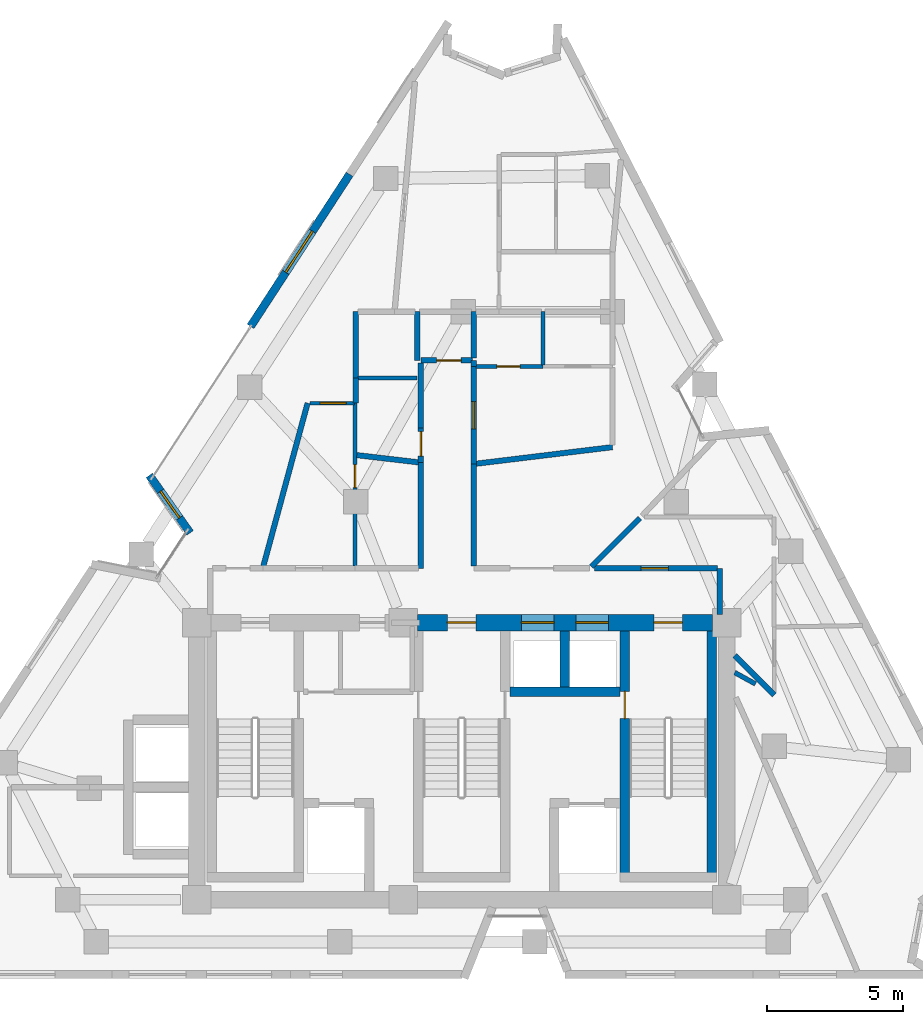
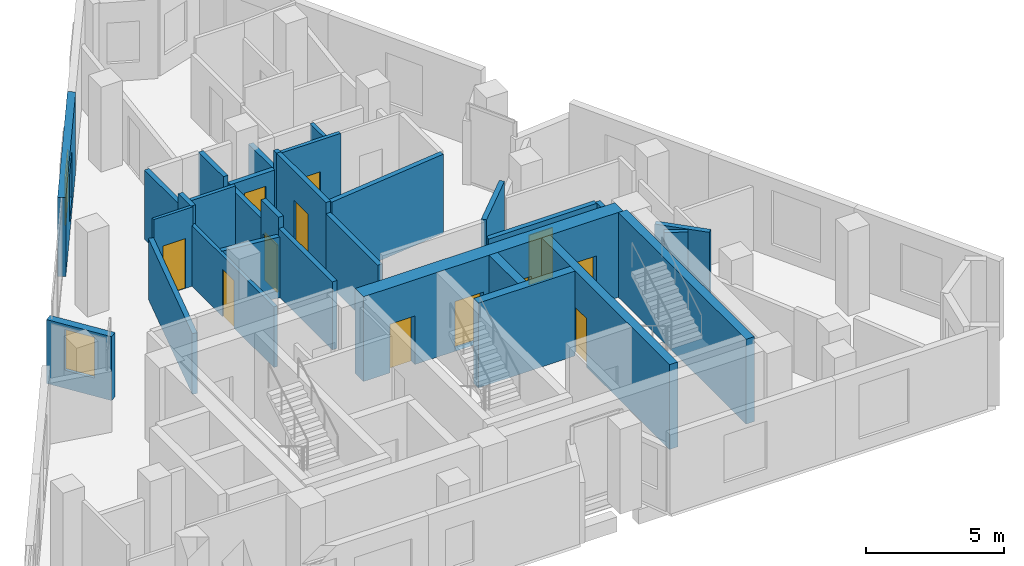
# One storey, part 6 of 9: 31 walls, 12 doors, 2 windows, 14 openings.
"""IFC4 building model written with IfcOpenShell, lengths in metres."""

from ifc_helpers import new_model, si_unit, direction, frame, frame_2d, origin, place, context, subcontext, project, spatial, rectangle, extrude, material, layer, layer_set, type_object, element, fill, save


model = new_model("IFC4")

# Units and contexts
model_context = context("Model", 3, precision=1e-05, world=origin(), true_north=direction((0.0, 1.0)))
body_context = subcontext(model_context, "Body", "Model", "MODEL_VIEW")
ifc_project = project(units=[si_unit("LENGTHUNIT", "METRE"), si_unit("AREAUNIT", "SQUARE_METRE"), si_unit("VOLUMEUNIT", "CUBIC_METRE"), si_unit("PLANEANGLEUNIT", "RADIAN"), si_unit("MASSUNIT", "GRAM", prefix="KILO")], contexts=[model_context])

# Site, building, storey
site_placement = place(None, origin())
site = spatial("IfcSite", under=ifc_project, at=site_placement, CompositionType="ELEMENT")
building_placement = place(site_placement, origin())
building = spatial("IfcBuilding", under=site, at=building_placement, Name="Almagre Mirador Tower", CompositionType="ELEMENT")
storey_placement = place(building_placement, frame((0.0, 0.0, 207.0)))
storey = spatial("IfcBuildingStorey", under=building, at=storey_placement, Name="L53", CompositionType="ELEMENT", Elevation=207.0)

# Wall, opening, window
ifc_material_1 = material(Name="Precast concrete C50/60", Category="concrete")
ifc_layer_1 = layer(ifc_material_1, 0.300048828125)
ifc_layer_set_1 = layer_set([ifc_layer_1], Name="Precast concrete C50/60")
wall_type_1 = type_object("IfcWallType", Name="WAL-EXT-300", PredefinedType="SOLIDWALL", material=ifc_layer_set_1)
wall_1_placement = place(storey_placement, frame((27.3017578125, 18.052490234375, 0.0), z_axis=(0.0, 0.0, 1.0), x_axis=(-0.576912262752, 0.816806122092, 0.0)))
wall_1 = element("IfcWall", 1, at=wall_1_placement, inside=storey, type_object=wall_type_1, Name="L53 expressed almagre precast frame wall 02", PredefinedType="SOLIDWALL", context=body_context, shape_type="SweptSolid", body=[
    extrude(rectangle(XDim=2.59423828125, YDim=0.300048828125, at=frame_2d((1.297119140625, 0.0))), origin(), (0.0, 0.0, 1.0), 2.824951171875),
])
opening_1_placement = place(wall_1_placement, frame((0.675048828125, 0.0, 0.800048828125)))
opening_1 = element("IfcOpeningElement", 2, at=opening_1_placement, cuts=wall_1, Name="Opening WN-04", PredefinedType="OPENING", context=body_context, shape_type="SweptSolid", body=[
    extrude(rectangle(XDim=1.199951171875, YDim=1.800048828125, at=frame_2d((0.60009765625, 0.89990234375))), frame((0.0, 0.159902, 0.0), z_axis=(0.0, -1.0, 0.0), x_axis=(1.0, 0.0, 0.0)), (0.0, 0.0, 1.0), 0.320049),
])
ifc_material_2 = material(Name="Dark solar-control laminated hurricane glass", Category="glass")
window_type_1 = type_object("IfcWindowType", Name="WIN-1200X1800", PartitioningType="SINGLE_PANEL", PredefinedType="WINDOW", material=ifc_material_2)
window_1_placement = place(opening_1_placement, origin())
window_1 = element("IfcWindow", 3, at=window_1_placement, inside=storey, type_object=window_type_1, Name="L53 recessed hurricane window L53-RST-F", OverallHeight=1.800048828125, OverallWidth=1.199951171875, PartitioningType="SINGLE_PANEL", PredefinedType="WINDOW", context=body_context, shape_type="SweptSolid", body=[
    extrude(rectangle(XDim=1.199951171875, YDim=1.800048828125, at=frame_2d((0.60009765625, 0.89990234375))), frame((0.0, 0.030029296875, 0.0), z_axis=(0.0, -1.0, 0.0), x_axis=(1.0, 0.0, 0.0)), (0.0, 0.0, 1.0), 0.06005859375),
])
fill(opening_1, window_1)

wall_2_placement = place(storey_placement, frame((29.530029296875, 25.654052734375, 0.0), z_axis=(0.0, 0.0, 1.0), x_axis=(0.545624217243, 0.838029959821, 0.0)))
wall_2 = element("IfcWall", 4, at=wall_2_placement, inside=storey, type_object=wall_type_1, Name="L53 expressed almagre precast frame wall 03", PredefinedType="SOLIDWALL", context=body_context, shape_type="SweptSolid", body=[
    extrude(rectangle(XDim=6.6787109375, YDim=0.300048828125, at=frame_2d((3.33935546875, 0.0))), origin(), (0.0, 0.0, 1.0), 3.5),
])
opening_2_placement = place(wall_2_placement, frame((2.375, 0.0, 0.60009765625)))
opening_2 = element("IfcOpeningElement", 5, at=opening_2_placement, cuts=wall_2, Name="Opening WN-01", PredefinedType="OPENING", context=body_context, shape_type="SweptSolid", body=[
    extrude(rectangle(XDim=1.800048828125, YDim=2.10009765625, at=frame_2d((0.89990234375, 1.050048828125))), frame((0.0, 0.159902, 0.0), z_axis=(0.0, -1.0, 0.0), x_axis=(1.0, 0.0, 0.0)), (0.0, 0.0, 1.0), 0.320049),
])
ifc_material_3 = material(Name="Dark solar-control laminated hurricane glass", Category="glass")
window_type_2 = type_object("IfcWindowType", Name="WIN-1800X2100", PartitioningType="DOUBLE_PANEL_VERTICAL", PredefinedType="WINDOW", material=ifc_material_3)
window_2_placement = place(opening_2_placement, origin())
window_2 = element("IfcWindow", 6, at=window_2_placement, inside=storey, type_object=window_type_2, Name="L53 recessed hurricane window L53-RST-F", OverallHeight=2.10009765625, OverallWidth=1.800048828125, PartitioningType="SINGLE_PANEL", PredefinedType="WINDOW", context=body_context, shape_type="SweptSolid", body=[
    extrude(rectangle(XDim=1.800048828125, YDim=2.10009765625, at=frame_2d((0.89990234375, 1.050048828125))), frame((0.0, 0.030029296875, 0.0), z_axis=(0.0, -1.0, 0.0), x_axis=(1.0, 0.0, 0.0)), (0.0, 0.0, 1.0), 0.06005859375),
])
fill(opening_2, window_2)

# Wall, opening, door
ifc_material_4 = material(Name="Gypsum acoustic stud partition", Category="other")
ifc_layer_2 = layer(ifc_material_4, 0.125)
ifc_layer_set_2 = layer_set([ifc_layer_2], Name="Gypsum acoustic stud partition")
wall_type_2 = type_object("IfcWallType", Name="WAL-PRT-125-UTL", PredefinedType="PARTITIONING", material=ifc_layer_set_2)
wall_3_placement = place(storey_placement, frame((33.360107421875, 22.830078125, 0.0), z_axis=(0.0, 0.0, 1.0), x_axis=(-1.0, 0.0, 0.0)))
wall_3 = element("IfcWall", 7, at=wall_3_placement, inside=storey, type_object=wall_type_2, Name="L53 interior partition 047", PredefinedType="PARTITIONING", context=body_context, shape_type="SweptSolid", body=[
    extrude(rectangle(XDim=1.64501953125, YDim=0.125, at=frame_2d((0.822509765625, 0.0))), origin(), (0.0, 0.0, 1.0), 3.5),
])
opening_3_placement = place(wall_3_placement, frame((0.31591796875, 0.0, 0.0)))
opening_3 = element("IfcOpeningElement", 8, at=opening_3_placement, cuts=wall_3, Name="Opening UD-01", PredefinedType="OPENING", context=body_context, shape_type="SweptSolid", body=[
    extrude(rectangle(XDim=0.949951171875, YDim=2.199951171875, at=frame_2d((0.47509765625, 1.10009765625))), frame((0.0, 0.0725, 0.0), z_axis=(0.0, -1.0, 0.0), x_axis=(1.0, 0.0, 0.0)), (0.0, 0.0, 1.0), 0.145),
])
ifc_material_5 = material(Name="Solid American walnut timber", Category="wood")
door_type_1 = type_object("IfcDoorType", Name="DOR-UNR-950X2200", OperationType="NOTDEFINED", PredefinedType="DOOR", material=ifc_material_5)
door_1_placement = place(opening_3_placement, origin())
door_1 = element("IfcDoor", 9, at=door_1_placement, inside=storey, type_object=door_type_1, Name="DR-1652 L53 interior door L53-UG-ST to L53-UG-KT", OperationType="SINGLE_SWING_LEFT", OverallHeight=2.199951171875, OverallWidth=0.949951171875, PredefinedType="DOOR", context=body_context, shape_type="SweptSolid", body=[
    extrude(rectangle(XDim=0.949951171875, YDim=2.199951171875, at=frame_2d((0.47509765625, 1.10009765625))), frame((0.0, 0.02490234375, 0.0), z_axis=(0.0, -1.0, 0.0), x_axis=(1.0, 0.0, 0.0)), (0.0, 0.0, 1.0), 0.050048828125),
])
fill(opening_3, door_1)

ifc_material_6 = material(Name="Gypsum acoustic stud partition", Category="other")
ifc_layer_3 = layer(ifc_material_6, 0.14990234375)
ifc_layer_set_3 = layer_set([ifc_layer_3], Name="Gypsum acoustic stud partition")
wall_type_3 = type_object("IfcWallType", Name="WAL-PRT-150-STD", PredefinedType="PARTITIONING", material=ifc_layer_set_3)
wall_4_placement = place(storey_placement, frame((33.3798828125, 22.830078125, 0.0), z_axis=(0.0, 0.0, 1.0), x_axis=(0.0, -1.0, 0.0)))
wall_4 = element("IfcWall", 10, at=wall_4_placement, inside=storey, type_object=wall_type_3, Name="L53 interior partition 046", PredefinedType="PARTITIONING", context=body_context, shape_type="SweptSolid", body=[
    extrude(rectangle(XDim=5.9951171875, YDim=0.14990234375, at=frame_2d((2.99755859375, 0.0))), origin(), (0.0, 0.0, 1.0), 2.68505859375),
])
opening_4_placement = place(wall_4_placement, frame((2.261474609375, 0.0, 0.0)))
opening_4 = element("IfcOpeningElement", 11, at=opening_4_placement, cuts=wall_4, Name="Opening UD-04", PredefinedType="OPENING", context=body_context, shape_type="SweptSolid", body=[
    extrude(rectangle(XDim=0.85009765625, YDim=2.10009765625, at=frame_2d((0.425048828125, 1.050048828125))), frame((0.0, 0.084951, 0.0), z_axis=(0.0, -1.0, 0.0), x_axis=(1.0, 0.0, 0.0)), (0.0, 0.0, 1.0), 0.169902),
])
ifc_material_7 = material(Name="Moisture-resistant oak timber", Category="wood")
door_type_2 = type_object("IfcDoorType", Name="DOR-UNR-850X2100", OperationType="NOTDEFINED", PredefinedType="DOOR", material=ifc_material_7)
door_2_placement = place(opening_4_placement, origin())
door_2 = element("IfcDoor", 12, at=door_2_placement, inside=storey, type_object=door_type_2, Name="DR-1653 L53 interior door L53-UG-ST to L53-UG-BT", OperationType="SINGLE_SWING_RIGHT", OverallHeight=2.10009765625, OverallWidth=0.85009765625, PredefinedType="DOOR", context=body_context, shape_type="SweptSolid", body=[
    extrude(rectangle(XDim=0.85009765625, YDim=2.10009765625, at=frame_2d((0.425048828125, 1.050048828125))), frame((0.0, 0.02490234375, 0.0), z_axis=(0.0, -1.0, 0.0), x_axis=(1.0, 0.0, 0.0)), (0.0, 0.0, 1.0), 0.050048828125),
])
fill(opening_4, door_2)

# Wall
wall_5_placement = place(storey_placement, frame((35.659912109375, 23.75, 0.0), z_axis=(0.0, 0.0, 1.0), x_axis=(-1.0, 0.0, 0.0)))
element("IfcWall", 13, at=wall_5_placement, inside=storey, type_object=wall_type_3, Name="L53 interior partition 057", PredefinedType="PARTITIONING", context=body_context, shape_type="SweptSolid", body=[
    extrude(rectangle(XDim=2.1748046875, YDim=0.14990234375, at=frame_2d((1.08740234375, 0.0))), origin(), (0.0, 0.0, 1.0), 3.06103515625),
])

# Wall, opening, door
wall_6_placement = place(storey_placement, frame((40.300048828125, 24.179931640625, 0.0), z_axis=(0.0, 0.0, 1.0), x_axis=(-1.0, 0.0, 0.0)))
wall_6 = element("IfcWall", 14, at=wall_6_placement, inside=storey, type_object=wall_type_3, Name="L53 interior partition 060", PredefinedType="PARTITIONING", context=body_context, shape_type="SweptSolid", body=[
    extrude(rectangle(XDim=2.465087890625, YDim=0.14990234375, at=frame_2d((1.232421875, 0.0))), origin(), (0.0, 0.0, 1.0), 3.5),
])
opening_5_placement = place(wall_6_placement, frame((0.85009765625, 0.0, 0.0)))
opening_5 = element("IfcOpeningElement", 15, at=opening_5_placement, cuts=wall_6, Name="Opening UD-04", PredefinedType="OPENING", context=body_context, shape_type="SweptSolid", body=[
    extrude(rectangle(XDim=0.85009765625, YDim=2.10009765625, at=frame_2d((0.425048828125, 1.050048828125))), frame((0.0, 0.084951, 0.0), z_axis=(0.0, -1.0, 0.0), x_axis=(1.0, 0.0, 0.0)), (0.0, 0.0, 1.0), 0.169902),
])
door_3_placement = place(opening_5_placement, origin())
door_3 = element("IfcDoor", 16, at=door_3_placement, inside=storey, type_object=door_type_2, Name="DR-1657 L53 interior door L53-UJ-ST to L53-UJ-BT", OperationType="SINGLE_SWING_RIGHT", OverallHeight=2.10009765625, OverallWidth=0.85009765625, PredefinedType="DOOR", context=body_context, shape_type="SweptSolid", body=[
    extrude(rectangle(XDim=0.85009765625, YDim=2.10009765625, at=frame_2d((0.425048828125, 1.050048828125))), frame((0.0, 0.02490234375, 0.0), z_axis=(0.0, -1.0, 0.0), x_axis=(1.0, 0.0, 0.0)), (0.0, 0.0, 1.0), 0.050048828125),
])
fill(opening_5, door_3)

# Walls
wall_7_placement = place(storey_placement, frame((40.300048828125, 26.199951171875, 0.0), z_axis=(0.0, 0.0, 1.0), x_axis=(0.0, -1.0, 0.0)))
element("IfcWall", 17, at=wall_7_placement, inside=storey, type_object=wall_type_3, Name="L53 interior partition 063", PredefinedType="PARTITIONING", context=body_context, shape_type="SweptSolid", body=[
    extrude(rectangle(XDim=1.972412109375, YDim=0.14990234375, at=frame_2d((0.986328125, 0.0))), origin(), (0.0, 0.0, 1.0), 2.68505859375),
])
ifc_material_8 = material(Name="Gypsum acoustic stud partition", Category="other")
ifc_layer_4 = layer(ifc_material_8, 0.175048828125)
ifc_layer_set_4 = layer_set([ifc_layer_4], Name="Gypsum acoustic stud partition")
wall_type_4 = type_object("IfcWallType", Name="WAL-PRT-175-AC", PredefinedType="PARTITIONING", material=ifc_layer_set_4)
wall_8_placement = place(storey_placement, frame((47.35009765625, 12.9140625, 0.0), z_axis=(0.0, 0.0, 1.0), x_axis=(0.876281108122, -0.481800186331, 0.0)))
element("IfcWall", 18, at=wall_8_placement, inside=storey, type_object=wall_type_4, Name="L53 interior partition 078", PredefinedType="PARTITIONING", context=body_context, shape_type="SweptSolid", body=[
    extrude(rectangle(XDim=0.86962890625, YDim=0.175048828125, at=frame_2d((0.434814453125, 0.0))), origin(), (0.0, 0.0, 1.0), 3.5),
])
ifc_material_9 = material(Name="Gypsum acoustic stud partition", Category="other")
ifc_layer_5 = layer(ifc_material_9, 0.199951171875)
ifc_layer_set_5 = layer_set([ifc_layer_5], Name="Gypsum acoustic stud partition")
wall_type_5 = type_object("IfcWallType", Name="WAL-PRT-200-EI60", PredefinedType="PARTITIONING", material=ifc_layer_set_5)
wall_9_placement = place(storey_placement, frame((46.800048828125, 15.050048828125, 0.0), z_axis=(0.0, 0.0, 1.0), x_axis=(0.0, 1.0, 0.0)))
element("IfcWall", 19, at=wall_9_placement, inside=storey, type_object=wall_type_5, Name="L53 interior partition 002", PredefinedType="PARTITIONING", context=body_context, shape_type="SweptSolid", body=[
    extrude(rectangle(XDim=1.699951171875, YDim=0.199951171875, at=frame_2d((0.85009765625, 0.0))), origin(), (0.0, 0.0, 1.0), 2.68505859375),
])

# Wall, opening, door
wall_10_placement = place(storey_placement, frame((46.715087890625, 16.75, 0.0), z_axis=(0.0, 0.0, 1.0), x_axis=(-1.0, 0.0, 0.0)))
wall_10 = element("IfcWall", 20, at=wall_10_placement, inside=storey, type_object=wall_type_5, Name="L53 interior partition 003", PredefinedType="PARTITIONING", context=body_context, shape_type="SweptSolid", body=[
    extrude(rectangle(XDim=4.53515625, YDim=0.199951171875, at=frame_2d((2.267578125, 0.0))), origin(), (0.0, 0.0, 1.0), 2.68505859375),
])
opening_6_placement = place(wall_10_placement, frame((1.81005859375, 0.0, 0.0)))
opening_6 = element("IfcOpeningElement", 21, at=opening_6_placement, cuts=wall_10, Name="Opening ID-01", PredefinedType="OPENING", context=body_context, shape_type="SweptSolid", body=[
    extrude(rectangle(XDim=1.0, YDim=2.199951171875, at=frame_2d((0.5, 1.10009765625))), frame((0.0, 0.110098, 0.0), z_axis=(0.0, -1.0, 0.0), x_axis=(1.0, 0.0, 0.0)), (0.0, 0.0, 1.0), 0.219951),
])
ifc_material_10 = material(Name="Fire-rated walnut timber", Category="wood")
door_type_3 = type_object("IfcDoorType", Name="DOR-FD60-1000X2200", OperationType="NOTDEFINED", PredefinedType="DOOR", material=ifc_material_10)
door_4_placement = place(opening_6_placement, origin())
door_4 = element("IfcDoor", 22, at=door_4_placement, inside=storey, type_object=door_type_3, Name="DR-1649 L53 interior door L53-RCOR to L53-UE-ST", OperationType="SINGLE_SWING_LEFT", OverallHeight=2.199951171875, OverallWidth=1.0, PredefinedType="DOOR", context=body_context, shape_type="SweptSolid", body=[
    extrude(rectangle(XDim=1.0, YDim=2.199951171875, at=frame_2d((0.5, 1.10009765625))), frame((0.0, 0.02490234375, 0.0), z_axis=(0.0, -1.0, 0.0), x_axis=(1.0, 0.0, 0.0)), (0.0, 0.0, 1.0), 0.050048828125),
])
fill(opening_6, door_4)

# Wall
wall_11_placement = place(storey_placement, frame((35.800048828125, 20.639892578125, 0.0), z_axis=(0.0, 0.0, 1.0), x_axis=(0.0, -1.0, 0.0)))
element("IfcWall", 23, at=wall_11_placement, inside=storey, type_object=wall_type_5, Name="L53 interior partition 006", PredefinedType="PARTITIONING", context=body_context, shape_type="SweptSolid", body=[
    extrude(rectangle(XDim=3.889892578125, YDim=0.199951171875, at=frame_2d((1.94482421875, 0.0))), origin(), (0.0, 0.0, 1.0), 3.0029296875),
])

# Wall, opening, door
wall_12_placement = place(storey_placement, frame((37.705078125, 24.39990234375, 0.0), z_axis=(0.0, 0.0, 1.0), x_axis=(-1.0, 0.0, 0.0)))
wall_12 = element("IfcWall", 24, at=wall_12_placement, inside=storey, type_object=wall_type_5, Name="L53 interior partition 008", PredefinedType="PARTITIONING", context=body_context, shape_type="SweptSolid", body=[
    extrude(rectangle(XDim=1.905029296875, YDim=0.199951171875, at=frame_2d((0.95263671875, 0.0))), origin(), (0.0, 0.0, 1.0), 2.68505859375),
])
opening_7_placement = place(wall_12_placement, frame((0.425048828125, 0.0, 0.0)))
opening_7 = element("IfcOpeningElement", 25, at=opening_7_placement, cuts=wall_12, Name="Opening ID-03", PredefinedType="OPENING", context=body_context, shape_type="SweptSolid", body=[
    extrude(rectangle(XDim=0.89990234375, YDim=2.10009765625, at=frame_2d((0.449951171875, 1.050048828125))), frame((0.0, 0.110098, 0.0), z_axis=(0.0, -1.0, 0.0), x_axis=(1.0, 0.0, 0.0)), (0.0, 0.0, 1.0), 0.219951),
])
ifc_material_11 = material(Name="Fire-rated hollow steel", Category="steel")
door_type_4 = type_object("IfcDoorType", Name="DOR-FD60-900X2100", OperationType="NOTDEFINED", PredefinedType="DOOR", material=ifc_material_11)
door_5_placement = place(opening_7_placement, origin())
door_5 = element("IfcDoor", 26, at=door_5_placement, inside=storey, type_object=door_type_4, Name="DR-1648 L53 interior door L53-RCOR to L53-UH-ST", OperationType="SINGLE_SWING_RIGHT", OverallHeight=2.10009765625, OverallWidth=0.89990234375, PredefinedType="DOOR", context=body_context, shape_type="SweptSolid", body=[
    extrude(rectangle(XDim=0.89990234375, YDim=2.10009765625, at=frame_2d((0.449951171875, 1.050048828125))), frame((0.0, 0.02490234375, 0.0), z_axis=(0.0, -1.0, 0.0), x_axis=(1.0, 0.0, 0.0)), (0.0, 0.0, 1.0), 0.050048828125),
])
fill(opening_7, door_5)

# Wall
wall_13_placement = place(storey_placement, frame((35.800048828125, 24.31494140625, 0.0), z_axis=(0.0, 0.0, 1.0), x_axis=(0.0, -1.0, 0.0)))
element("IfcWall", 27, at=wall_13_placement, inside=storey, type_object=wall_type_5, Name="L53 interior partition 009", PredefinedType="PARTITIONING", context=body_context, shape_type="SweptSolid", body=[
    extrude(rectangle(XDim=2.39501953125, YDim=0.199951171875, at=frame_2d((1.197509765625, 0.0))), origin(), (0.0, 0.0, 1.0), 2.68505859375),
])

# Wall, opening, door
wall_14_placement = place(storey_placement, frame((35.800048828125, 21.919921875, 0.0), z_axis=(0.0, 0.0, 1.0), x_axis=(0.0, -1.0, 0.0)))
wall_14 = element("IfcWall", 28, at=wall_14_placement, inside=storey, type_object=wall_type_5, Name="L53 interior partition 010", PredefinedType="PARTITIONING", context=body_context, shape_type="SweptSolid", body=[
    extrude(rectangle(XDim=1.280029296875, YDim=0.199951171875, at=frame_2d((0.64013671875, 0.0))), origin(), (0.0, 0.0, 1.0), 3.5),
])
opening_8_placement = place(wall_14_placement, frame((0.139892578125, 0.0, 0.0)))
opening_8 = element("IfcOpeningElement", 29, at=opening_8_placement, cuts=wall_14, Name="Opening ID-03", PredefinedType="OPENING", context=body_context, shape_type="SweptSolid", body=[
    extrude(rectangle(XDim=0.89990234375, YDim=2.10009765625, at=frame_2d((0.449951171875, 1.050048828125))), frame((0.0, 0.110098, 0.0), z_axis=(0.0, -1.0, 0.0), x_axis=(1.0, 0.0, 0.0)), (0.0, 0.0, 1.0), 0.219951),
])
door_6_placement = place(opening_8_placement, origin())
door_6 = element("IfcDoor", 30, at=door_6_placement, inside=storey, type_object=door_type_4, Name="DR-1654 L53 interior door L53-RCOR to L53-UH-KT", OperationType="SINGLE_SWING_RIGHT", OverallHeight=2.10009765625, OverallWidth=0.89990234375, PredefinedType="DOOR", context=body_context, shape_type="SweptSolid", body=[
    extrude(rectangle(XDim=0.89990234375, YDim=2.10009765625, at=frame_2d((0.449951171875, 1.050048828125))), frame((0.0, 0.02490234375, 0.0), z_axis=(0.0, -1.0, 0.0), x_axis=(1.0, 0.0, 0.0)), (0.0, 0.0, 1.0), 0.050048828125),
])
fill(opening_8, door_6)

wall_15_placement = place(storey_placement, frame((37.75, 20.590087890625, 0.0), z_axis=(0.0, 0.0, 1.0), x_axis=(0.0, 1.0, 0.0)))
wall_15 = element("IfcWall", 31, at=wall_15_placement, inside=storey, type_object=wall_type_5, Name="L53 interior partition 011", PredefinedType="PARTITIONING", context=body_context, shape_type="SweptSolid", body=[
    extrude(rectangle(XDim=3.58984375, YDim=0.199951171875, at=frame_2d((1.794921875, 0.0))), origin(), (0.0, 0.0, 1.0), 3.5),
])
opening_9_placement = place(wall_15_placement, frame((1.294921875, 0.0, 0.0)))
opening_9 = element("IfcOpeningElement", 32, at=opening_9_placement, cuts=wall_15, Name="Opening ID-01", PredefinedType="OPENING", context=body_context, shape_type="SweptSolid", body=[
    extrude(rectangle(XDim=1.0, YDim=2.199951171875, at=frame_2d((0.5, 1.10009765625))), frame((0.0, 0.110098, 0.0), z_axis=(0.0, -1.0, 0.0), x_axis=(1.0, 0.0, 0.0)), (0.0, 0.0, 1.0), 0.219951),
])
door_7_placement = place(opening_9_placement, origin())
door_7 = element("IfcDoor", 33, at=door_7_placement, inside=storey, type_object=door_type_3, Name="DR-1655 L53 interior door L53-RCOR to L53-UJ-ST", OperationType="SINGLE_SWING_RIGHT", OverallHeight=2.199951171875, OverallWidth=1.0, PredefinedType="DOOR", context=body_context, shape_type="SweptSolid", body=[
    extrude(rectangle(XDim=1.0, YDim=2.199951171875, at=frame_2d((0.5, 1.10009765625))), frame((0.0, 0.02490234375, 0.0), z_axis=(0.0, -1.0, 0.0), x_axis=(1.0, 0.0, 0.0)), (0.0, 0.0, 1.0), 0.050048828125),
])
fill(opening_9, door_7)

# Walls
wall_16_placement = place(storey_placement, frame((37.75, 24.179931640625, 0.0), z_axis=(0.0, 0.0, 1.0), x_axis=(0.0, 1.0, 0.0)))
element("IfcWall", 34, at=wall_16_placement, inside=storey, type_object=wall_type_5, Name="L53 interior partition 012", PredefinedType="PARTITIONING", context=body_context, shape_type="SweptSolid", body=[
    extrude(rectangle(XDim=0.219970703125, YDim=0.199951171875, at=frame_2d((0.10986328125, 0.0))), origin(), (0.0, 0.0, 1.0), 3.5),
])
wall_17_placement = place(storey_placement, frame((37.75, 16.8349609375, 0.0), z_axis=(0.0, 0.0, 1.0), x_axis=(0.0, 1.0, 0.0)))
element("IfcWall", 35, at=wall_17_placement, inside=storey, type_object=wall_type_5, Name="L53 interior partition 014", PredefinedType="PARTITIONING", context=body_context, shape_type="SweptSolid", body=[
    extrude(rectangle(XDim=3.755126953125, YDim=0.199951171875, at=frame_2d((1.87744140625, 0.0))), origin(), (0.0, 0.0, 1.0), 3.0029296875),
])
wall_18_placement = place(storey_placement, frame((48.800048828125, 12.090087890625, 0.0), z_axis=(0.0, 0.0, 1.0), x_axis=(-0.707106781187, 0.707106781187, 0.0)))
element("IfcWall", 36, at=wall_18_placement, inside=storey, type_object=wall_type_5, Name="L53 interior partition 029", PredefinedType="PARTITIONING", context=body_context, shape_type="SweptSolid", body=[
    extrude(rectangle(XDim=2.050537109375, YDim=0.199951171875, at=frame_2d((1.025390625, 0.0))), origin(), (0.0, 0.0, 1.0), 3.5),
])
wall_19_placement = place(storey_placement, frame((43.857666015625, 18.59765625, 0.0), z_axis=(0.0, 0.0, 1.0), x_axis=(-0.707106781187, -0.707106781187, 0.0)))
element("IfcWall", 37, at=wall_19_placement, inside=storey, type_object=wall_type_5, Name="L53 interior partition 040", PredefinedType="PARTITIONING", context=body_context, shape_type="SweptSolid", body=[
    extrude(rectangle(XDim=2.528076171875, YDim=0.199951171875, at=frame_2d((1.26416015625, 0.0))), origin(), (0.0, 0.0, 1.0), 3.5),
])
wall_20_placement = place(storey_placement, frame((30.002197265625, 16.83203125, 0.0), z_axis=(0.0, 0.0, 1.0), x_axis=(0.261897318596, 0.965095743702, 0.0)))
element("IfcWall", 38, at=wall_20_placement, inside=storey, type_object=wall_type_5, Name="L53 interior partition 043", PredefinedType="PARTITIONING", context=body_context, shape_type="SweptSolid", body=[
    extrude(rectangle(XDim=6.215087890625, YDim=0.199951171875, at=frame_2d((3.107421875, 0.0))), origin(), (0.0, 0.0, 1.0), 2.68505859375),
])
wall_21_placement = place(storey_placement, frame((35.715576171875, 20.64990234375, 0.0), z_axis=(0.0, 0.0, 1.0), x_axis=(-0.993270086926, 0.11582113114, 0.0)))
element("IfcWall", 39, at=wall_21_placement, inside=storey, type_object=wall_type_5, Name="L53 interior partition 048", PredefinedType="PARTITIONING", context=body_context, shape_type="SweptSolid", body=[
    extrude(rectangle(XDim=2.291259765625, YDim=0.199951171875, at=frame_2d((1.1455078125, 0.0))), origin(), (0.0, 0.0, 1.0), 2.68505859375),
])
wall_22_placement = place(storey_placement, frame((33.39990234375, 22.830078125, 0.0), z_axis=(0.0, 0.0, 1.0), x_axis=(0.0, 1.0, 0.0)))
element("IfcWall", 40, at=wall_22_placement, inside=storey, type_object=wall_type_5, Name="L53 interior partition 049", PredefinedType="PARTITIONING", context=body_context, shape_type="SweptSolid", body=[
    extrude(rectangle(XDim=0.919921875, YDim=0.199951171875, at=frame_2d((0.4599609375, 0.0))), origin(), (0.0, 0.0, 1.0), 3.5),
])
wall_23_placement = place(storey_placement, frame((33.39990234375, 23.75, 0.0), z_axis=(0.0, 0.0, 1.0), x_axis=(0.0, 1.0, 0.0)))
element("IfcWall", 41, at=wall_23_placement, inside=storey, type_object=wall_type_5, Name="L53 interior partition 050", PredefinedType="PARTITIONING", context=body_context, shape_type="SweptSolid", body=[
    extrude(rectangle(XDim=2.449951171875, YDim=0.199951171875, at=frame_2d((1.22509765625, 0.0))), origin(), (0.0, 0.0, 1.0), 3.06103515625),
])
wall_24_placement = place(storey_placement, frame((35.659912109375, 26.199951171875, 0.0), z_axis=(0.0, 0.0, 1.0), x_axis=(0.0, -1.0, 0.0)))
element("IfcWall", 42, at=wall_24_placement, inside=storey, type_object=wall_type_5, Name="L53 interior partition 054", PredefinedType="PARTITIONING", context=body_context, shape_type="SweptSolid", body=[
    extrude(rectangle(XDim=1.800048828125, YDim=0.199951171875, at=frame_2d((0.89990234375, 0.0))), origin(), (0.0, 0.0, 1.0), 3.06103515625),
])
wall_25_placement = place(storey_placement, frame((37.75, 24.485107421875, 0.0), z_axis=(0.0, 0.0, 1.0), x_axis=(0.0, 1.0, 0.0)))
element("IfcWall", 43, at=wall_25_placement, inside=storey, type_object=wall_type_5, Name="L53 interior partition 055", PredefinedType="PARTITIONING", context=body_context, shape_type="SweptSolid", body=[
    extrude(rectangle(XDim=1.71484375, YDim=0.199951171875, at=frame_2d((0.857421875, 0.0))), origin(), (0.0, 0.0, 1.0), 2.68505859375),
])
wall_26_placement = place(storey_placement, frame((37.83447265625, 20.600341796875, 0.0), z_axis=(0.0, 0.0, 1.0), x_axis=(0.992694372952, 0.120656047959, 0.0)))
element("IfcWall", 44, at=wall_26_placement, inside=storey, type_object=wall_type_5, Name="L53 interior partition 061", PredefinedType="PARTITIONING", context=body_context, shape_type="SweptSolid", body=[
    extrude(rectangle(XDim=5.052490234375, YDim=0.199951171875, at=frame_2d((2.5263671875, 0.0))), origin(), (0.0, 0.0, 1.0), 3.5),
])

# Wall, opening, door
ifc_material_12 = material(Name="Concrete C60/75", Category="concrete")
ifc_layer_6 = layer(ifc_material_12, 0.35009765625)
ifc_layer_set_6 = layer_set([ifc_layer_6], Name="Concrete C60/75")
wall_type_6 = type_object("IfcWallType", Name="WAL-SHF-350", PredefinedType="SOLIDWALL", material=ifc_layer_set_6)
wall_27_placement = place(storey_placement, frame((43.300048828125, 5.199951171875, 0.0), z_axis=(0.0, 0.0, 1.0), x_axis=(0.0, 1.0, 0.0)))
wall_27 = element("IfcWall", 45, at=wall_27_placement, inside=storey, type_object=wall_type_6, Name="L53 shaft wall ST3-W", PredefinedType="SOLIDWALL", context=body_context, shape_type="SweptSolid", body=[
    extrude(rectangle(XDim=9.25, YDim=0.35009765625, at=frame_2d((4.625, 0.0))), origin(), (0.0, 0.0, 1.0), 3.75),
])
opening_10_placement = place(wall_27_placement, frame((6.02001953125, 0.0, 0.0)))
opening_10 = element("IfcOpeningElement", 46, at=opening_10_placement, cuts=wall_27, Name="Opening FD-01", PredefinedType="OPENING", context=body_context, shape_type="SweptSolid", body=[
    extrude(rectangle(XDim=1.0, YDim=2.14990234375, at=frame_2d((0.5, 1.074951171875))), frame((0.0, 0.185049, 0.0), z_axis=(0.0, -1.0, 0.0), x_axis=(1.0, 0.0, 0.0)), (0.0, 0.0, 1.0), 0.370098),
])
ifc_material_13 = material(Name="Fire-rated hollow steel", Category="steel")
door_type_5 = type_object("IfcDoorType", Name="DOR-FFL-1000X2150", OperationType="NOTDEFINED", PredefinedType="DOOR", material=ifc_material_13)
door_8_placement = place(opening_10_placement, origin())
door_8 = element("IfcDoor", 47, at=door_8_placement, inside=storey, type_object=door_type_5, Name="DR-1645 L53 FFL2-ST3 smokeproof door", OperationType="SINGLE_SWING_RIGHT", OverallHeight=2.14990234375, OverallWidth=1.0, PredefinedType="DOOR", context=body_context, shape_type="SweptSolid", body=[
    extrude(rectangle(XDim=1.0, YDim=2.14990234375, at=frame_2d((0.5, 1.074951171875))), frame((0.0, 0.02490234375, 0.0), z_axis=(0.0, -1.0, 0.0), x_axis=(1.0, 0.0, 0.0)), (0.0, 0.0, 1.0), 0.050048828125),
])
fill(opening_10, door_8)

# Walls
wall_28_placement = place(storey_placement, frame((46.5, 5.199951171875, 0.0), z_axis=(0.0, 0.0, 1.0), x_axis=(0.0, 1.0, 0.0)))
element("IfcWall", 48, at=wall_28_placement, inside=storey, type_object=wall_type_6, Name="L53 shaft wall ST3-E", PredefinedType="SOLIDWALL", context=body_context, shape_type="SweptSolid", body=[
    extrude(rectangle(XDim=9.25, YDim=0.35009765625, at=frame_2d((4.625, 0.0))), origin(), (0.0, 0.0, 1.0), 3.75),
])
wall_29_placement = place(storey_placement, frame((39.074951171875, 12.199951171875, 0.0), z_axis=(0.0, 0.0, 1.0), x_axis=(1.0, 0.0, 0.0)))
element("IfcWall", 49, at=wall_29_placement, inside=storey, type_object=wall_type_6, Name="L53 shaft wall PLH-S", PredefinedType="SOLIDWALL", context=body_context, shape_type="SweptSolid", body=[
    extrude(rectangle(XDim=4.050048828125, YDim=0.35009765625, at=frame_2d((2.02490234375, 0.0))), origin(), (0.0, 0.0, 1.0), 3.75),
])
wall_30_placement = place(storey_placement, frame((41.10009765625, 12.375, 0.0), z_axis=(0.0, 0.0, 1.0), x_axis=(0.0, 1.0, 0.0)))
element("IfcWall", 50, at=wall_30_placement, inside=storey, type_object=wall_type_6, Name="L53 shaft wall PLH-M", PredefinedType="SOLIDWALL", context=body_context, shape_type="SweptSolid", body=[
    extrude(rectangle(XDim=2.074951171875, YDim=0.35009765625, at=frame_2d((1.03759765625, 0.0))), origin(), (0.0, 0.0, 1.0), 3.75),
])

# Wall, openings, doors
ifc_material_14 = material(Name="Concrete C60/75", Category="concrete")
ifc_layer_7 = layer(ifc_material_14, 0.60009765625)
ifc_layer_set_7 = layer_set([ifc_layer_7], Name="Concrete C60/75")
wall_type_7 = type_object("IfcWallType", Name="WAL-SHR-600", PredefinedType="SHEAR", material=ifc_layer_set_7)
wall_31_placement = place(storey_placement, frame((35.675048828125, 14.75, 0.0), z_axis=(0.0, 0.0, 1.0), x_axis=(1.0, 0.0, 0.0)))
wall_31 = element("IfcWall", 51, at=wall_31_placement, inside=storey, type_object=wall_type_7, Name="L53 core shear wall N2", PredefinedType="SHEAR", context=body_context, shape_type="SweptSolid", body=[
    extrude(rectangle(XDim=10.849853515625, YDim=0.60009765625, at=frame_2d((5.4248046875, 0.0))), origin(), (0.0, 0.0, 1.0), 3.75),
])
opening_11_placement = place(wall_31_placement, frame((1.10009765625, 0.0, 0.0)))
opening_11 = element("IfcOpeningElement", 52, at=opening_11_placement, cuts=wall_31, Name="Opening SD-01", PredefinedType="OPENING", context=body_context, shape_type="SweptSolid", body=[
    extrude(rectangle(XDim=1.050048828125, YDim=2.14990234375, at=frame_2d((0.52490234375, 1.074951171875))), frame((0.0, 0.310049, 0.0), z_axis=(0.0, -1.0, 0.0), x_axis=(1.0, 0.0, 0.0)), (0.0, 0.0, 1.0), 0.620098),
])
opening_12_placement = place(wall_31_placement, frame((8.699951171875, 0.0, 0.0)))
opening_12 = element("IfcOpeningElement", 53, at=opening_12_placement, cuts=wall_31, Name="Opening SD-01", PredefinedType="OPENING", context=body_context, shape_type="SweptSolid", body=[
    extrude(rectangle(XDim=1.050048828125, YDim=2.14990234375, at=frame_2d((0.52490234375, 1.074951171875))), frame((0.0, 0.310049, 0.0), z_axis=(0.0, -1.0, 0.0), x_axis=(1.0, 0.0, 0.0)), (0.0, 0.0, 1.0), 0.620098),
])
opening_13_placement = place(wall_31_placement, frame((3.824951171875, 0.0, 0.0)))
opening_13 = element("IfcOpeningElement", 54, at=opening_13_placement, cuts=wall_31, Name="Opening LD-02", PredefinedType="OPENING", context=body_context, shape_type="SweptSolid", body=[
    extrude(rectangle(XDim=1.199951171875, YDim=2.199951171875, at=frame_2d((0.60009765625, 1.10009765625))), frame((0.0, 0.310049, 0.0), z_axis=(0.0, -1.0, 0.0), x_axis=(1.0, 0.0, 0.0)), (0.0, 0.0, 1.0), 0.620098),
])
opening_14_placement = place(wall_31_placement, frame((5.824951171875, 0.0, 0.0)))
opening_14 = element("IfcOpeningElement", 55, at=opening_14_placement, cuts=wall_31, Name="Opening LD-02", PredefinedType="OPENING", context=body_context, shape_type="SweptSolid", body=[
    extrude(rectangle(XDim=1.199951171875, YDim=2.199951171875, at=frame_2d((0.60009765625, 1.10009765625))), frame((0.0, 0.310049, 0.0), z_axis=(0.0, -1.0, 0.0), x_axis=(1.0, 0.0, 0.0)), (0.0, 0.0, 1.0), 0.620098),
])
ifc_material_15 = material(Name="Hollow stainless steel", Category="steel")
door_type_6 = type_object("IfcDoorType", Name="DOR-LD-1200X2200", OperationType="DOUBLE_DOOR_SLIDING", PredefinedType="DOOR", material=ifc_material_15)
door_9_placement = place(opening_13_placement, origin())
door_9 = element("IfcDoor", 56, at=door_9_placement, inside=storey, type_object=door_type_6, Name="DR-1664 L53 PL-H1 lift landing door", OperationType="DOUBLE_DOOR_SLIDING", OverallHeight=2.199951171875, OverallWidth=1.199951171875, PredefinedType="DOOR", context=body_context, shape_type="SweptSolid", body=[
    extrude(rectangle(XDim=1.199951171875, YDim=2.199951171875, at=frame_2d((0.60009765625, 1.10009765625))), frame((0.0, 0.02490234375, 0.0), z_axis=(0.0, -1.0, 0.0), x_axis=(1.0, 0.0, 0.0)), (0.0, 0.0, 1.0), 0.050048828125),
])
fill(opening_13, door_9)
door_10_placement = place(opening_14_placement, origin())
door_10 = element("IfcDoor", 57, at=door_10_placement, inside=storey, type_object=door_type_6, Name="DR-1665 L53 PL-H2 lift landing door", OperationType="DOUBLE_DOOR_SLIDING", OverallHeight=2.199951171875, OverallWidth=1.199951171875, PredefinedType="DOOR", context=body_context, shape_type="SweptSolid", body=[
    extrude(rectangle(XDim=1.199951171875, YDim=2.199951171875, at=frame_2d((0.60009765625, 1.10009765625))), frame((0.0, 0.02490234375, 0.0), z_axis=(0.0, -1.0, 0.0), x_axis=(1.0, 0.0, 0.0)), (0.0, 0.0, 1.0), 0.050048828125),
])
fill(opening_14, door_10)
ifc_material_16 = material(Name="Fire-rated hollow steel", Category="steel")
door_type_7 = type_object("IfcDoorType", Name="DOR-ST-1050X2150", OperationType="NOTDEFINED", PredefinedType="DOOR", material=ifc_material_16)
door_11_placement = place(opening_11_placement, origin())
door_11 = element("IfcDoor", 58, at=door_11_placement, inside=storey, type_object=door_type_7, Name="DR-1667 L53 protected exit stair ST-2 door", OperationType="SINGLE_SWING_LEFT", OverallHeight=2.14990234375, OverallWidth=1.050048828125, PredefinedType="DOOR", context=body_context, shape_type="SweptSolid", body=[
    extrude(rectangle(XDim=1.050048828125, YDim=2.14990234375, at=frame_2d((0.52490234375, 1.074951171875))), frame((0.0, 0.02490234375, 0.0), z_axis=(0.0, -1.0, 0.0), x_axis=(1.0, 0.0, 0.0)), (0.0, 0.0, 1.0), 0.050048828125),
])
fill(opening_11, door_11)
door_12_placement = place(opening_12_placement, origin())
door_12 = element("IfcDoor", 59, at=door_12_placement, inside=storey, type_object=door_type_7, Name="DR-1668 L53 protected exit stair ST-3 door", OperationType="SINGLE_SWING_RIGHT", OverallHeight=2.14990234375, OverallWidth=1.050048828125, PredefinedType="DOOR", context=body_context, shape_type="SweptSolid", body=[
    extrude(rectangle(XDim=1.050048828125, YDim=2.14990234375, at=frame_2d((0.52490234375, 1.074951171875))), frame((0.0, 0.02490234375, 0.0), z_axis=(0.0, -1.0, 0.0), x_axis=(1.0, 0.0, 0.0)), (0.0, 0.0, 1.0), 0.050048828125),
])
fill(opening_12, door_12)

save(model, "model.ifc")
